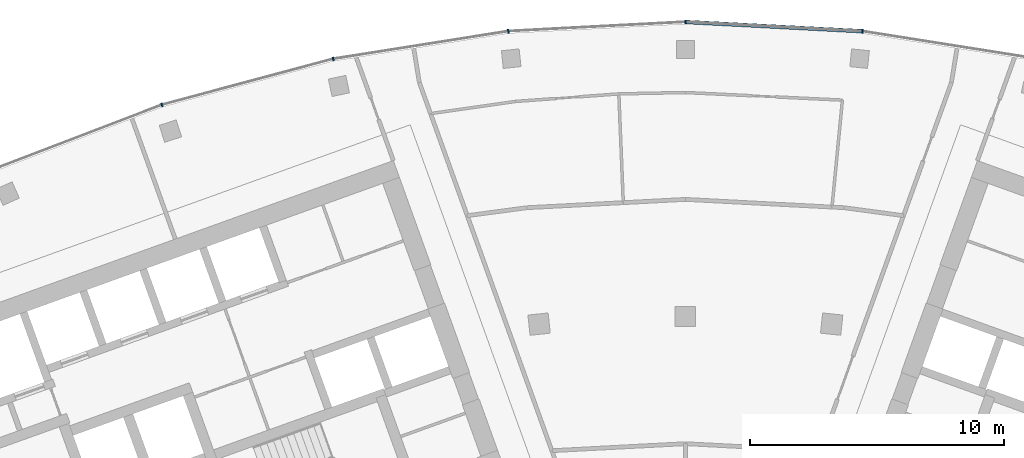
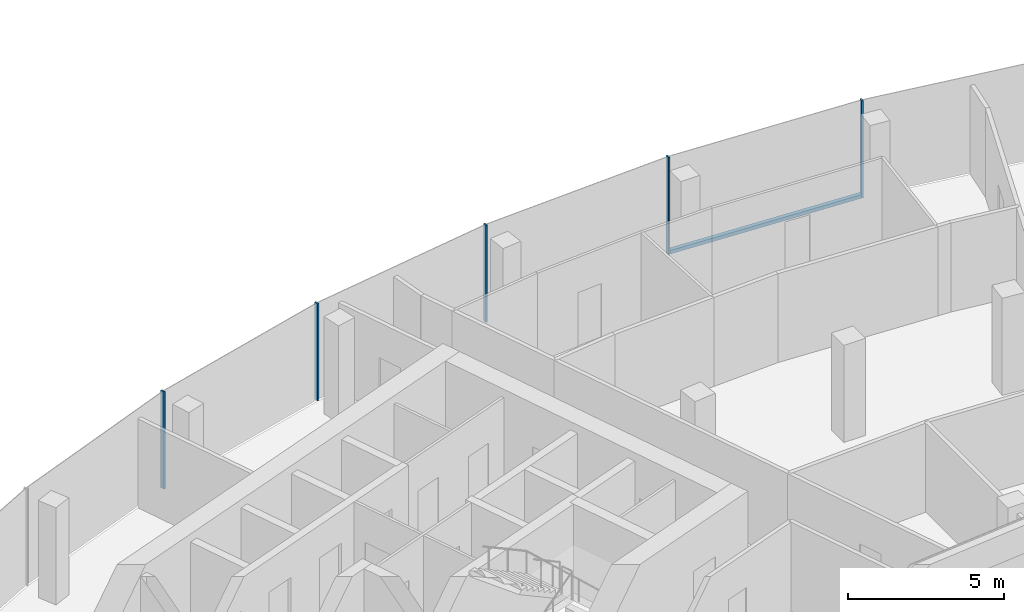
# One storey, part 6 of 18: 6 members, 1 element without a shape of its own.
"""IFC4 building model written with IfcOpenShell, lengths in metres."""

from ifc_helpers import new_model, si_unit, direction, frame, origin, origin_2d, place, context, subcontext, project, spatial, rectangle, extrude, material, layer, layer_set, material_profile, profile_set, type_object, element, aggregate, save


model = new_model("IFC4")

# Units and contexts
model_context = context("Model", 3, precision=1e-05, world=origin(), true_north=direction((0.0, 1.0)))
body_context = subcontext(model_context, "Body", "Model", "MODEL_VIEW")
ifc_project = project(units=[si_unit("LENGTHUNIT", "METRE"), si_unit("AREAUNIT", "SQUARE_METRE"), si_unit("VOLUMEUNIT", "CUBIC_METRE"), si_unit("PLANEANGLEUNIT", "RADIAN"), si_unit("MASSUNIT", "GRAM", prefix="KILO")], contexts=[model_context])

# Site, building, storey
site_placement = place(None, origin())
site = spatial("IfcSite", under=ifc_project, at=site_placement, CompositionType="ELEMENT")
building_placement = place(site_placement, origin())
building = spatial("IfcBuilding", under=site, at=building_placement, Name="Stone Belt Terrace Tower", CompositionType="ELEMENT")
storey_placement = place(building_placement, frame((0.0, 0.0, 261.800048828125)))
storey = spatial("IfcBuildingStorey", under=building, at=storey_placement, Name="L63", CompositionType="ELEMENT", Elevation=261.800048828125)

# Curtain wall, members
ifc_material = material(Name="Aluminium 6063-T6 anodised frame", Category="aluminium")
ifc_layer = layer(ifc_material, 0.14990234375)
ifc_layer_set = layer_set([ifc_layer], Name="CW-A unitised convex-face curtain wall")
curtain_wall_type = type_object("IfcCurtainWallType", Name="CW-A unitised convex-face curtain wall", PredefinedType="NOTDEFINED", material=ifc_layer_set)
curtain_wall_placement = place(storey_placement, origin())
curtain_wall = element("IfcCurtainWall", 1, at=curtain_wall_placement, inside=storey, type_object=curtain_wall_type, Name="CW-A convex face L63", PredefinedType="NOTDEFINED")
ifc_material_profile_1 = material_profile(ifc_material, rectangle(XDim=0.14990234375, YDim=0.06005859375, at=origin_2d()), Name="Aluminium 6063-T6 60x150")
ifc_profile_set_1 = profile_set([ifc_material_profile_1], Name="Aluminium 6063-T6 anodised frame")
member_type_1 = type_object("IfcMemberType", Name="CW-A mullion 60 x 150", PredefinedType="MULLION", material=ifc_profile_set_1)
member_1_placement = place(storey_placement, frame((6.958984375, 66.21044921875, 0.0), z_axis=(0.0, 0.0, 1.0), x_axis=(-0.104528463268, -0.994521895368, 0.0)))
member_1 = element("IfcMember", 2, at=member_1_placement, type_object=member_type_1, Name="CW-A mullion 7", PredefinedType="MULLION", context=body_context, shape_type="SweptSolid", body=[
    extrude(rectangle(XDim=0.14990234375, YDim=0.06005859375, at=origin_2d()), origin(), (0.0, 0.0, 1.0), 3.800048828125),
])
member_2_placement = place(storey_placement, frame((0.0, 66.5751953125, 0.0), z_axis=(0.0, 0.0, 1.0), x_axis=(0.0, -1.0, 0.0)))
member_2 = element("IfcMember", 3, at=member_2_placement, type_object=member_type_1, Name="CW-A mullion 8", PredefinedType="MULLION", context=body_context, shape_type="SweptSolid", body=[
    extrude(rectangle(XDim=0.14990234375, YDim=0.06005859375, at=origin_2d()), origin(), (0.0, 0.0, 1.0), 3.800048828125),
])
member_3_placement = place(storey_placement, frame((-6.958984375, 66.21044921875, 0.0), z_axis=(0.0, 0.0, 1.0), x_axis=(0.104528463268, -0.994521895368, 0.0)))
member_3 = element("IfcMember", 4, at=member_3_placement, type_object=member_type_1, Name="CW-A mullion 9", PredefinedType="MULLION", context=body_context, shape_type="SweptSolid", body=[
    extrude(rectangle(XDim=0.14990234375, YDim=0.06005859375, at=origin_2d()), origin(), (0.0, 0.0, 1.0), 3.800048828125),
])
member_4_placement = place(storey_placement, frame((-13.841796875, 65.120361328125, 0.0), z_axis=(0.0, 0.0, 1.0), x_axis=(0.207911690818, -0.978147600734, 0.0)))
member_4 = element("IfcMember", 5, at=member_4_placement, type_object=member_type_1, Name="CW-A mullion 10", PredefinedType="MULLION", context=body_context, shape_type="SweptSolid", body=[
    extrude(rectangle(XDim=0.14990234375, YDim=0.06005859375, at=origin_2d()), origin(), (0.0, 0.0, 1.0), 3.800048828125),
])
member_5_placement = place(storey_placement, frame((-20.57275390625, 63.316650390625, 0.0), z_axis=(0.0, 0.0, 1.0), x_axis=(0.309016994375, -0.951056516295, 0.0)))
member_5 = element("IfcMember", 6, at=member_5_placement, type_object=member_type_1, Name="CW-A mullion 11", PredefinedType="MULLION", context=body_context, shape_type="SweptSolid", body=[
    extrude(rectangle(XDim=0.14990234375, YDim=0.06005859375, at=origin_2d()), origin(), (0.0, 0.0, 1.0), 3.800048828125),
])
ifc_material_profile_2 = material_profile(ifc_material, rectangle(XDim=0.14990234375, YDim=0.139892578125, at=origin_2d()), Name="Aluminium 6063-T6 150x140")
ifc_profile_set_2 = profile_set([ifc_material_profile_2], Name="Aluminium 6063-T6 anodised frame")
member_type_2 = type_object("IfcMemberType", Name="CW-A transom 140 x 150", PredefinedType="USERDEFINED", material=ifc_profile_set_2)
member_6_placement = place(storey_placement, frame((6.925048828125, 66.212158203125, 0.070068359375), z_axis=(-0.998630019135, 0.052326712899, 0.0), x_axis=(-0.052326712899, -0.998630019135, 0.0)))
member_6 = element("IfcMember", 7, at=member_6_placement, type_object=member_type_2, Name="CW-A transom 7.1", ObjectType="TRANSOM", PredefinedType="USERDEFINED", context=body_context, shape_type="SweptSolid", body=[
    extrude(rectangle(XDim=0.14990234375, YDim=0.139892578125, at=origin_2d()), origin(), (0.0, 0.0, 1.0), 6.900634765625),
])
aggregate(curtain_wall, [member_1, member_2, member_3, member_4, member_5, member_6])

save(model, "model.ifc")
